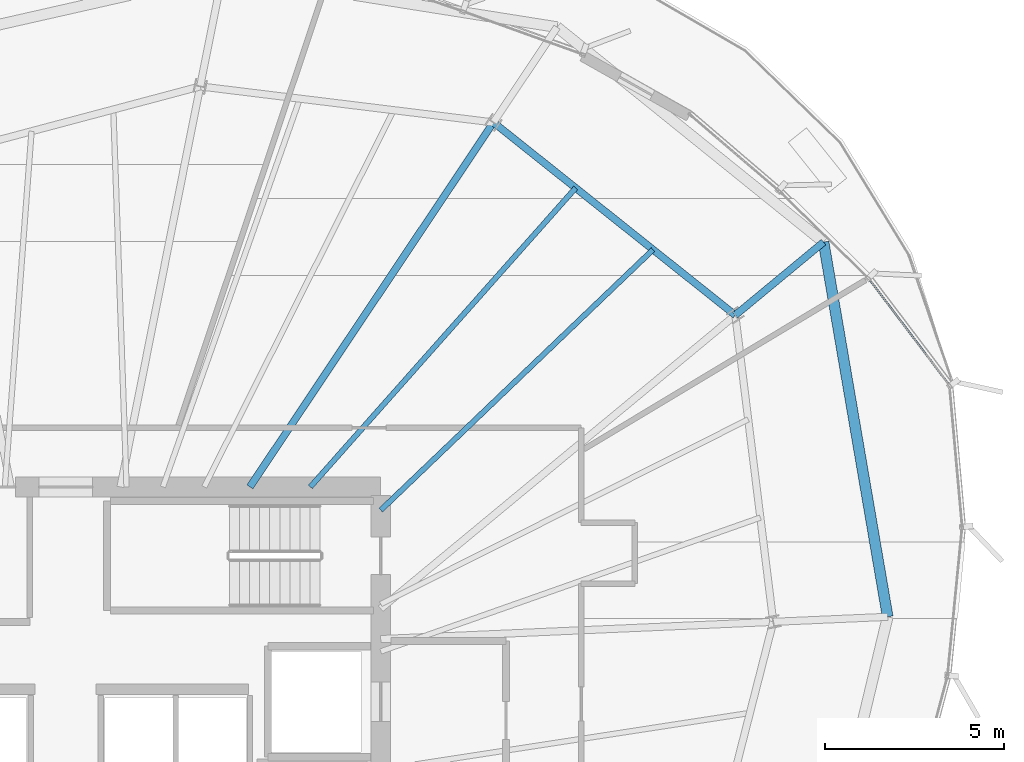
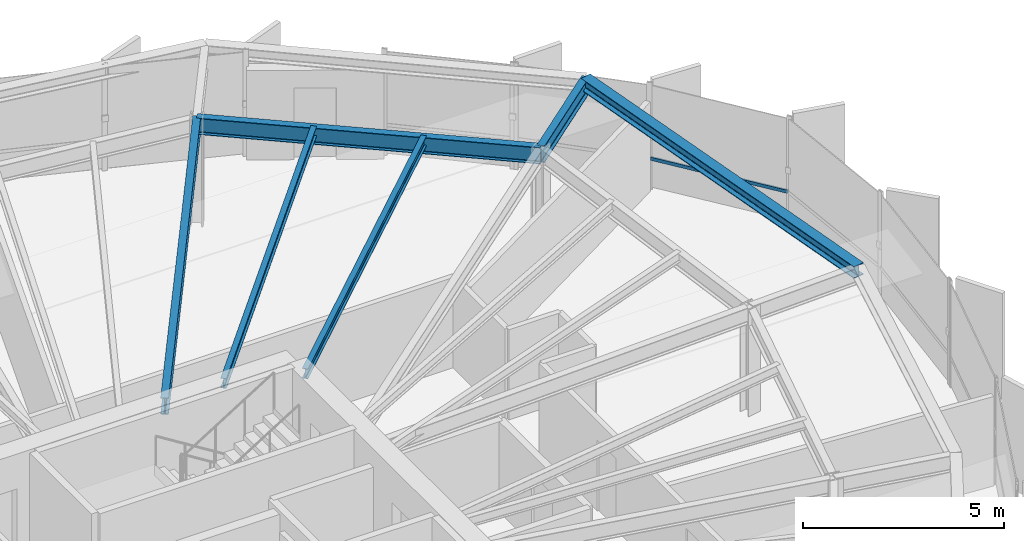
# One storey, part 24 of 34: 6 beams, 1 member, 1 element without a shape of its own.
"""IFC4 building model written with IfcOpenShell, lengths in metres."""

import ifcopenshell
import ifcopenshell.guid

model = None  # the IFC model being written
_history = None  # IfcOwnerHistory: only IFC2X3 demands one
_inside = {}  # id of a spatial element -> (the spatial element, [elements in it])
_under = {}  # id of a project, library or spatial element -> (it, [spatial elements below it])
_declared = {}  # id of a project -> (the project, [libraries it declares])
_typed = {}  # id of a type object -> (the type object, [elements of that type])
_made_of = {}  # id of a material, layer set ... -> (it, [elements and type objects made of it])


def new_model(schema):
    """Start an empty IFC model of exactly this schema.

    Asked for "IFC4X3", IfcOpenShell would pick the latest addendum, in which some entities
    have other attributes; the version numbers below select the first issue.
    IFC2X3 requires an IfcOwnerHistory on every rooted entity: one is made here for all.
    """
    global model, _history
    if schema == "IFC4X3":
        model = ifcopenshell.file(schema_version=(4, 3, 0, 0))
    else:
        model = ifcopenshell.file(schema=schema)
    _inside.clear()
    _under.clear()
    _declared.clear()
    _typed.clear()
    _made_of.clear()
    _history = None
    if model.schema == "IFC2X3":
        org = make("IfcOrganization", Name="unknown")
        user = make(
            "IfcPersonAndOrganization",
            ThePerson=make("IfcPerson", FamilyName="unknown"),
            TheOrganization=org,
        )
        app = make(
            "IfcApplication",
            ApplicationDeveloper=org,
            Version="unknown",
            ApplicationFullName="unknown",
            ApplicationIdentifier="unknown",
        )
        _history = make(
            "IfcOwnerHistory",
            OwningUser=user,
            OwningApplication=app,
            ChangeAction="ADDED",
            CreationDate=0,
        )
    return model


def make(cls, **values):
    """One entity of the class cls with the attributes given. An attribute that is None is left unset."""
    return model.create_entity(
        cls, **{name: value for name, value in values.items() if value is not None}
    )


def rooted(cls, **values):
    """An entity with a GlobalId (a new one), such as an element, a storey or a relation."""
    return make(cls, GlobalId=ifcopenshell.guid.new(), OwnerHistory=_history, **values)


def si_unit(unit_type, name, prefix=None):
    """IfcSIUnit, for example si_unit("LENGTHUNIT", "METRE", prefix="MILLI")."""
    return make("IfcSIUnit", UnitType=unit_type, Prefix=prefix, Name=name)


def assignment(units):
    """IfcUnitAssignment: the units of a project."""
    return None if units is None else make("IfcUnitAssignment", Units=units)


def point(xyz):
    """IfcCartesianPoint."""
    return None if xyz is None else make("IfcCartesianPoint", Coordinates=xyz)


def direction(xyz):
    """IfcDirection."""
    return None if xyz is None else make("IfcDirection", DirectionRatios=xyz)


def frame(location, z_axis=None, x_axis=None):
    """IfcAxis2Placement3D, a coordinate frame: its origin and axes. An axis left out is left unset."""
    return make(
        "IfcAxis2Placement3D",
        Location=point(location),
        Axis=direction(z_axis),
        RefDirection=direction(x_axis),
    )


def frame_2d(location, x_axis=None):
    """IfcAxis2Placement2D, a coordinate frame in the plane: its origin and x axis."""
    return make(
        "IfcAxis2Placement2D", Location=point(location), RefDirection=direction(x_axis)
    )


def origin():
    """The frame at (0, 0, 0) with its axes left unset."""
    return frame((0.0, 0.0, 0.0))


def origin_2d():
    """The frame at (0, 0) in the plane with its x axis left unset."""
    return frame_2d((0.0, 0.0))


def place(relative_to, where):
    """IfcLocalPlacement: puts the frame where relative to a parent placement (None: the world)."""
    return make(
        "IfcLocalPlacement", PlacementRelTo=relative_to, RelativePlacement=where
    )


def context(
    kind, dimensions, precision=None, world=None, true_north=None, identifier=None
):
    """IfcGeometricRepresentationContext, for example the 3D "Model" context."""
    return make(
        "IfcGeometricRepresentationContext",
        ContextIdentifier=identifier,
        ContextType=kind,
        CoordinateSpaceDimension=dimensions,
        Precision=precision,
        WorldCoordinateSystem=world,
        TrueNorth=true_north,
    )


def subcontext(parent, identifier, kind, view, scale=None):
    """IfcGeometricRepresentationSubContext, for example "Body" below "Model"."""
    return make(
        "IfcGeometricRepresentationSubContext",
        ContextIdentifier=identifier,
        ContextType=kind,
        ParentContext=parent,
        TargetScale=scale,
        TargetView=view,
    )


def project(units=None, contexts=None):
    """IfcProject with its units and contexts."""
    return rooted(
        "IfcProject",
        Name="project",
        RepresentationContexts=contexts,
        UnitsInContext=assignment(units),
    )


def spatial(cls, under=None, at=None, **own):
    """A site, building, storey or space (cls), placed at a placement, below another one or the project."""
    s = rooted(cls, ObjectPlacement=at, **own)
    if under is not None:
        _under.setdefault(under.id(), (under, []))[1].append(s)
    return s


def profile(cls, at=None, kind="AREA", **sizes):
    """A parametric profile (cls). Its sizes go by their IFC names, for example OverallWidth=200.0."""
    return make(cls, ProfileType=kind, Position=at, **sizes)


def hollow_rectangle(**sizes):
    """IfcRectangleHollowProfileDef."""
    return profile("IfcRectangleHollowProfileDef", **sizes)


def i_section(**sizes):
    """IfcIShapeProfileDef."""
    return profile("IfcIShapeProfileDef", **sizes)


def extrude(swept, where, along, depth):
    """IfcExtrudedAreaSolid: the profile swept, set in the frame where, extruded along a direction by depth."""
    return make(
        "IfcExtrudedAreaSolid",
        SweptArea=swept,
        Position=where,
        ExtrudedDirection=direction(along),
        Depth=depth,
    )


def shape(context_of_items, identifier, shape_type, items):
    """IfcShapeRepresentation: the items that make up one representation, for example the "Body"."""
    return make(
        "IfcShapeRepresentation",
        ContextOfItems=context_of_items,
        RepresentationIdentifier=identifier,
        RepresentationType=shape_type,
        Items=items,
    )


def source(mapping_origin, context_of_items, identifier, shape_type, items):
    """IfcRepresentationMap: a shape defined once, which mapped items show again and again."""
    return make(
        "IfcRepresentationMap",
        MappingOrigin=mapping_origin,
        MappedRepresentation=shape(context_of_items, identifier, shape_type, items),
    )


def transform(
    local_origin,
    x_axis=None,
    y_axis=None,
    z_axis=None,
    scale=None,
    scale2=None,
    scale3=None,
    uniform=True,
):
    """IfcCartesianTransformationOperator3D, or its non-uniform kind. x_axis, y_axis, z_axis: its Axis1, 2, 3."""
    if uniform:
        return make(
            "IfcCartesianTransformationOperator3D",
            Axis1=direction(x_axis),
            Axis2=direction(y_axis),
            LocalOrigin=point(local_origin),
            Scale=scale,
            Axis3=direction(z_axis),
        )
    return make(
        "IfcCartesianTransformationOperator3DnonUniform",
        Axis1=direction(x_axis),
        Axis2=direction(y_axis),
        LocalOrigin=point(local_origin),
        Scale=scale,
        Axis3=direction(z_axis),
        Scale2=scale2,
        Scale3=scale3,
    )


def mapped(mapping_source, mapping_target):
    """IfcMappedItem: shows the shape of a source again, moved by a transform."""
    return make(
        "IfcMappedItem", MappingSource=mapping_source, MappingTarget=mapping_target
    )


def material(Name=None, Category=None):
    """IfcMaterial."""
    return make("IfcMaterial", Name=Name, Category=Category)


def layer(
    of_material, thickness, ventilated=None, Name=None, Category=None, Priority=None
):
    """IfcMaterialLayer: one layer of a wall or slab, of a material (None: an air gap)."""
    return make(
        "IfcMaterialLayer",
        Material=of_material,
        LayerThickness=thickness,
        IsVentilated=ventilated,
        Name=Name,
        Category=Category,
        Priority=Priority,
    )


def layer_set(layers, Name=None):
    """IfcMaterialLayerSet."""
    return make("IfcMaterialLayerSet", MaterialLayers=layers, LayerSetName=Name)


def material_profile(
    of_material, cross_section, Name=None, Category=None, Priority=None
):
    """IfcMaterialProfile: a cross section and its material."""
    return make(
        "IfcMaterialProfile",
        Name=Name,
        Material=of_material,
        Profile=cross_section,
        Priority=Priority,
        Category=Category,
    )


def profile_set(profiles, Name=None, composite=None):
    """IfcMaterialProfileSet."""
    return make(
        "IfcMaterialProfileSet",
        Name=Name,
        MaterialProfiles=profiles,
        CompositeProfile=composite,
    )


def made_of(thing, what):
    """Note that an element or type object is made of a material, layer set ...; save() writes the relation."""
    if what is not None:
        _made_of.setdefault(what.id(), (what, []))[1].append(thing)
    return thing


def type_object(cls, material=None, **own):
    """A type object (cls), such as IfcWallType, which elements share."""
    return made_of(rooted(cls, **own), material)


def element(
    cls,
    number,
    at=None,
    inside=None,
    cuts=None,
    type_object=None,
    material=None,
    context=None,
    identifier="Body",
    shape_type=None,
    held_by="IfcProductDefinitionShape",
    body=None,
    shapes=None,
    **own,
):
    """One element of the class cls, such as IfcWall. Its Tag is "e" and its number.

    at: its placement. inside: the storey or other place that contains it. cuts: it is an
    opening in that element (IfcRelVoidsElement). A single representation is given by context,
    identifier, shape_type and body (its items); several are given by shapes. held_by: the class
    of the entity that holds the representations. save() writes the other relations.
    """
    e = rooted(cls, Tag="e%d" % number, ObjectPlacement=at, **own)
    if body is not None:
        shapes = [shape(context, identifier, shape_type, body)]
    if shapes is not None:
        e.Representation = make(held_by, Representations=shapes)
    if inside is not None:
        _inside.setdefault(inside.id(), (inside, []))[1].append(e)
    if cuts is not None:
        rooted(
            "IfcRelVoidsElement", RelatingBuildingElement=cuts, RelatedOpeningElement=e
        )
    if type_object is not None:
        _typed.setdefault(type_object.id(), (type_object, []))[1].append(e)
    return made_of(e, material)


def aggregate(whole, parts):
    """IfcRelAggregates: a whole, such as a stair, and the parts it consists of."""
    return rooted("IfcRelAggregates", RelatingObject=whole, RelatedObjects=parts)


def save(model, path):
    """Write the relations noted so far, then the file.

    IfcRelAggregates (storeys below a building ...), IfcRelContainedInSpatialStructure (elements
    in a storey), IfcRelDefinesByType, IfcRelAssociatesMaterial and IfcRelDeclares: one each for
    every whole, place, type object, material and project.
    """
    for whole, parts in _under.values():
        aggregate(whole, parts)
    for where, things in _inside.values():
        rooted(
            "IfcRelContainedInSpatialStructure",
            RelatedElements=things,
            RelatingStructure=where,
        )
    for kind, things in _typed.values():
        rooted("IfcRelDefinesByType", RelatedObjects=things, RelatingType=kind)
    for what, things in _made_of.values():
        rooted("IfcRelAssociatesMaterial", RelatedObjects=things, RelatingMaterial=what)
    for by, libraries in _declared.values():
        rooted("IfcRelDeclares", RelatingContext=by, RelatedDefinitions=libraries)
    model.write(path)


model = new_model("IFC4")

# Units and contexts
model_context = context("Model", 3, precision=1e-05, world=origin(), true_north=direction((0.0, 1.0)))
body_context = subcontext(model_context, "Body", "Model", "MODEL_VIEW")
ifc_project = project(units=[si_unit("LENGTHUNIT", "METRE"), si_unit("AREAUNIT", "SQUARE_METRE"), si_unit("VOLUMEUNIT", "CUBIC_METRE"), si_unit("PLANEANGLEUNIT", "RADIAN"), si_unit("MASSUNIT", "GRAM", prefix="KILO"), si_unit("THERMODYNAMICTEMPERATUREUNIT", "KELVIN")], contexts=[model_context])

# Site, building, storey
site_placement = place(None, origin())
site = spatial("IfcSite", under=ifc_project, at=site_placement, CompositionType="ELEMENT")
building_placement = place(site_placement, origin())
building = spatial("IfcBuilding", under=site, at=building_placement, Name="Kethvar Cultural Tower", CompositionType="ELEMENT")
storey_placement = place(building_placement, frame((0.0, 0.0, 190.39990234375)))
storey = spatial("IfcBuildingStorey", under=building, at=storey_placement, Name="L49", CompositionType="ELEMENT", Elevation=190.39990234375)

# Beams
ifc_material_1 = material(Name="Steel S355J2", Category="steel")
ifc_material_profile_1 = material_profile(ifc_material_1, i_section(OverallWidth=0.199951171875, OverallDepth=0.5, WebThickness=0.01025390625, FlangeThickness=0.01611328125, FilletRadius=0.02099609375, at=origin_2d()), Name="Steel S355J2 — IPE500")
ifc_profile_set_1 = profile_set([ifc_material_profile_1], Name="Steel S355J2 — IPE500")
beam_type_1 = type_object("IfcBeamType", Name="BM-IPE500", PredefinedType="BEAM", material=ifc_profile_set_1)
shared_shape_1 = source(origin(), body_context, "Body", "SweptSolid", [
    extrude(i_section(OverallWidth=0.199951171875, OverallDepth=0.5, WebThickness=0.01025390625, FlangeThickness=0.01611328125, FilletRadius=0.02099609375, at=origin_2d()), origin(), (0.0, 0.0, 1.0), 3.199951171875),
])
beam_1_placement = place(storey_placement, frame((65.504150390625, 40.297607421875, 3.008056640625), z_axis=(0.770324538831, 0.637652024913, 0.0), x_axis=(-0.637652024913, 0.770324538831, 0.0)))
element("IfcBeam", 1, at=beam_1_placement, inside=storey, type_object=beam_type_1, Name="L49 Perimeter Cantilever Beam RC-02", PredefinedType="BEAM", context=body_context, shape_type="MappedRepresentation", body=[
    mapped(shared_shape_1, transform((0.0, 0.0, 0.0), scale=1.0)),
])
shared_shape_2 = source(origin(), body_context, "Body", "SweptSolid", [
    extrude(i_section(OverallWidth=0.199951171875, OverallDepth=0.5, WebThickness=0.01025390625, FlangeThickness=0.01611328125, FilletRadius=0.02099609375, at=origin_2d()), origin(), (0.0, 0.0, 1.0), 12.2451171875),
])
beam_2_placement = place(storey_placement, frame((51.945068359375, 35.5, 3.008056640625), z_axis=(0.555569492312, 0.831470107227, 0.0), x_axis=(-0.831470107227, 0.555569492312, 0.0)))
element("IfcBeam", 2, at=beam_2_placement, inside=storey, type_object=beam_type_1, Name="L49 Primary Radial Beam RB-03", PredefinedType="BEAM", context=body_context, shape_type="MappedRepresentation", body=[
    mapped(shared_shape_2, transform((0.0, 0.0, 0.0), scale=1.0)),
])
ifc_material_profile_2 = material_profile(ifc_material_1, i_section(OverallWidth=0.300048828125, OverallDepth=0.360107421875, WebThickness=0.012451171875, FlangeThickness=0.0224609375, FilletRadius=0.027099609375, at=origin_2d()), Name="Steel S355J2 — HEB360")
ifc_profile_set_2 = profile_set([ifc_material_profile_2], Name="Steel S355J2 — HEB360")
beam_type_2 = type_object("IfcBeamType", Name="BM-SP360", PredefinedType="SPANDREL", material=ifc_profile_set_2)
shared_shape_3 = source(origin(), body_context, "Body", "SweptSolid", [
    extrude(i_section(OverallWidth=0.300048828125, OverallDepth=0.360107421875, WebThickness=0.012451171875, FlangeThickness=0.0224609375, FilletRadius=0.027099609375, at=origin_2d()), origin(), (0.0, 0.0, 1.0), 10.618896484375),
])
beam_3_placement = place(storey_placement, frame((69.760986328125, 31.87158203125, 3.078125), z_axis=(-0.168733441284, 0.985661719756, 0.0), x_axis=(-0.985661719756, -0.168733441284, 0.0)))
element("IfcBeam", 3, at=beam_3_placement, inside=storey, type_object=beam_type_2, Name="L49 Perimeter Spandrel Beam SP-01", PredefinedType="SPANDREL", context=body_context, shape_type="MappedRepresentation", body=[
    mapped(shared_shape_3, transform((0.0, 0.0, 0.0), scale=1.0)),
])
shared_shape_4 = source(origin(), body_context, "Body", "SweptSolid", [
    extrude(i_section(OverallWidth=0.199951171875, OverallDepth=0.5, WebThickness=0.01025390625, FlangeThickness=0.01611328125, FilletRadius=0.02099609375, at=origin_2d()), origin(), (0.0, 0.0, 1.0), 8.638916015625),
])
beam_4_placement = place(storey_placement, frame((65.504150390625, 40.297607421875, 3.008056640625), z_axis=(-0.782058475366, 0.623205055425, 0.0), x_axis=(-0.623205055425, -0.782058475366, 0.0)))
element("IfcBeam", 4, at=beam_4_placement, inside=storey, type_object=beam_type_1, Name="L49 Column Ring Tie Beam CR-02", PredefinedType="BEAM", context=body_context, shape_type="MappedRepresentation", body=[
    mapped(shared_shape_4, transform((0.0, 0.0, 0.0), scale=1.0)),
])
ifc_material_profile_3 = material_profile(ifc_material_1, i_section(OverallWidth=0.14990234375, OverallDepth=0.300048828125, WebThickness=0.007080078125, FlangeThickness=0.0107421875, FilletRadius=0.014892578125, at=origin_2d()), Name="Steel S355J2 — IPE300")
ifc_profile_set_3 = profile_set([ifc_material_profile_3], Name="Steel S355J2 — IPE300")
beam_type_3 = type_object("IfcBeamType", Name="BM-J300", PredefinedType="JOIST", material=ifc_profile_set_3)
shared_shape_5 = source(origin(), body_context, "Body", "SweptSolid", [
    extrude(i_section(OverallWidth=0.14990234375, OverallDepth=0.300048828125, WebThickness=0.007080078125, FlangeThickness=0.0107421875, FilletRadius=0.014892578125, at=origin_2d()), origin(), (0.0, 0.0, 1.0), 10.52783203125),
])
beam_5_placement = place(storey_placement, frame((55.60009765625, 34.85009765625, 3.108154296875), z_axis=(0.722552708299, 0.691315835006, 0.0), x_axis=(-0.691315835006, 0.722552708299, 0.0)))
element("IfcBeam", 5, at=beam_5_placement, inside=storey, type_object=beam_type_3, Name="L49 Composite Floor Joist J-02A", PredefinedType="JOIST", context=body_context, shape_type="MappedRepresentation", body=[
    mapped(shared_shape_5, transform((0.0, 0.0, 0.0), scale=1.0)),
])
shared_shape_6 = source(origin(), body_context, "Body", "SweptSolid", [
    extrude(i_section(OverallWidth=0.14990234375, OverallDepth=0.300048828125, WebThickness=0.007080078125, FlangeThickness=0.0107421875, FilletRadius=0.014892578125, at=origin_2d()), origin(), (0.0, 0.0, 1.0), 11.16552734375),
])
beam_6_placement = place(storey_placement, frame((53.6337890625, 35.5, 3.108154296875), z_axis=(0.663773261048, 0.747933859321, 0.0), x_axis=(-0.747933859321, 0.663773261048, 0.0)))
element("IfcBeam", 6, at=beam_6_placement, inside=storey, type_object=beam_type_3, Name="L49 Composite Floor Joist J-02B", PredefinedType="JOIST", context=body_context, shape_type="MappedRepresentation", body=[
    mapped(shared_shape_6, transform((0.0, 0.0, 0.0), scale=1.0)),
])

# Curtain wall, member
ifc_material_2 = material(Name="Aluminium 6063-T6", Category="aluminium")
ifc_layer = layer(ifc_material_2, 0.179931640625, Name="Aluminium 6063-T6", Category="aluminium")
ifc_layer_set = layer_set([ifc_layer], Name="Aluminium 6063-T6 (180 mm)")
curtain_wall_type = type_object("IfcCurtainWallType", Name="CW-SYS-04-Z34", PredefinedType="NOTDEFINED", material=ifc_layer_set)
curtain_wall_placement = place(storey_placement, origin())
curtain_wall = element("IfcCurtainWall", 7, at=curtain_wall_placement, inside=storey, type_object=curtain_wall_type, Name="L49 Curtain Wall Run 07", PredefinedType="NOTDEFINED")
ifc_material_profile_4 = material_profile(ifc_material_2, hollow_rectangle(XDim=0.050048828125, YDim=0.10009765625, WallThickness=0.00390625, at=origin_2d()), Name="Aluminium 6063-T6 — RHS100x50x4")
ifc_profile_set_4 = profile_set([ifc_material_profile_4], Name="Aluminium 6063-T6 — RHS100x50x4")
member_type = type_object("IfcMemberType", Name="CW-SYS-04-Z34-TRN", PredefinedType="USERDEFINED", material=ifc_profile_set_4)
shared_shape_7 = source(origin(), body_context, "Body", "SweptSolid", [
    extrude(hollow_rectangle(XDim=0.050048828125, YDim=0.10009765625, WallThickness=0.00390625, at=origin_2d()), origin(), (0.0, 0.0, 1.0), 3.70166015625),
])
member_placement = place(storey_placement, frame((71.47412109375, 38.354736328125, 0.9501953125), z_axis=(-0.603476672724, 0.797380652812, 0.0), x_axis=(-0.797380652812, -0.603476672724, 0.0)))
member = element("IfcMember", 8, at=member_placement, type_object=member_type, Name="CW-L49-R07 Transom 3", ObjectType="TRANSOM", PredefinedType="USERDEFINED", context=body_context, shape_type="MappedRepresentation", body=[
    mapped(shared_shape_7, transform((0.0, 0.0, 0.0), scale=1.0)),
])
aggregate(curtain_wall, [member])

save(model, "model.ifc")
